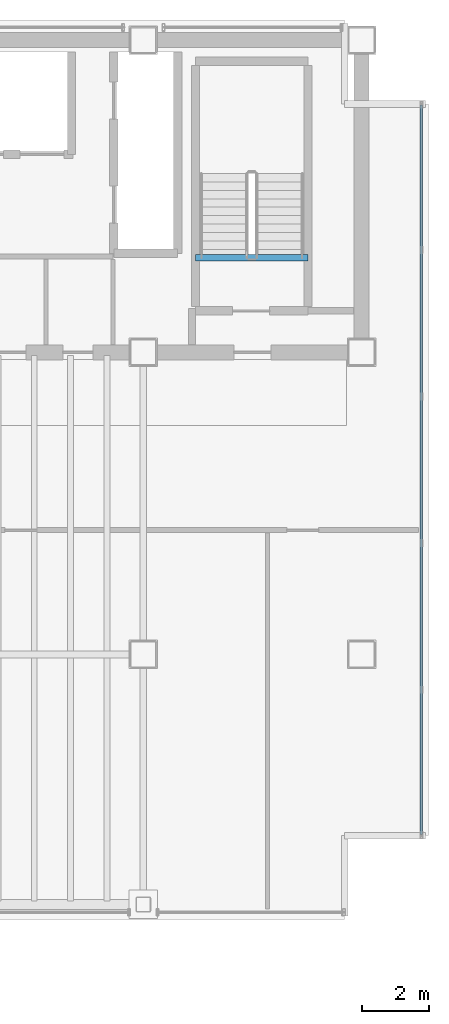
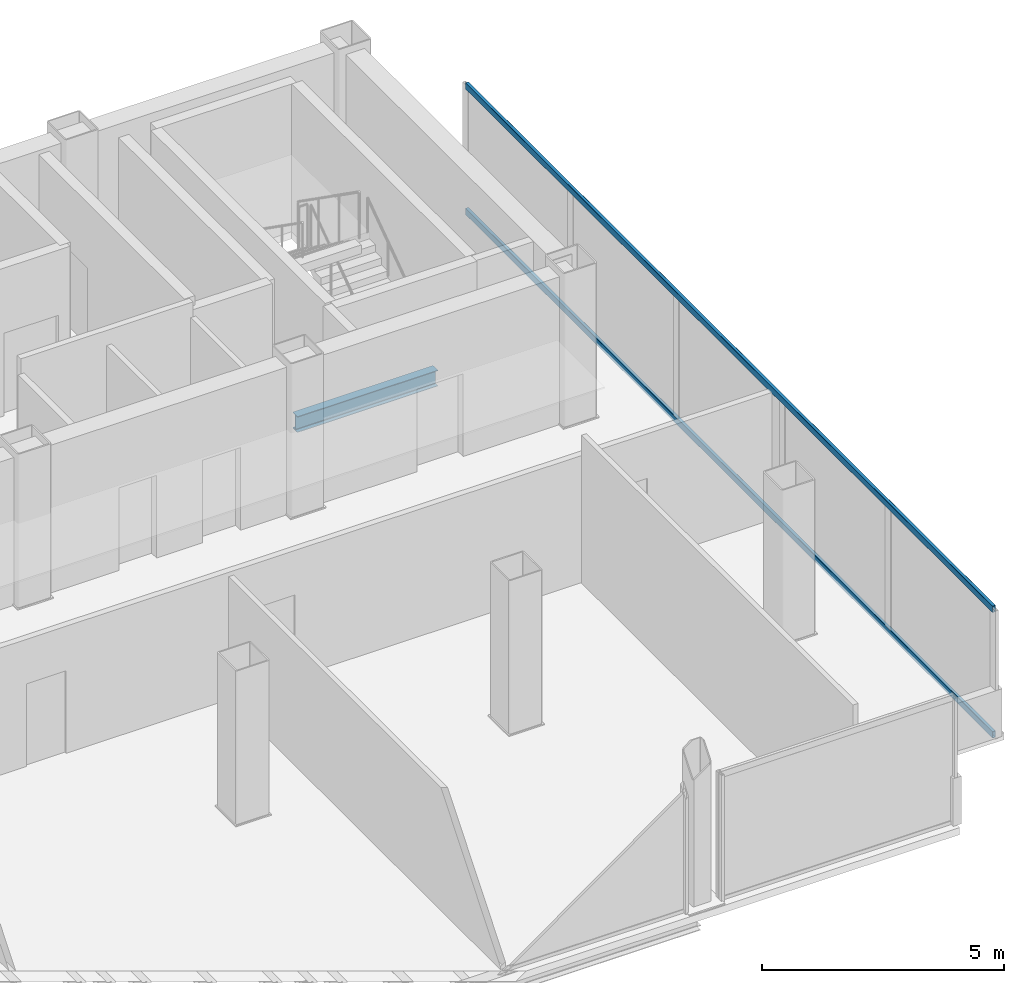
# One storey, part 11 of 16: 2 members, 1 beam, 1 element without a shape of its own.
"""IFC4 building model written with IfcOpenShell, lengths in metres."""

from ifc_helpers import new_model, si_unit, direction, frame, origin, origin_2d, place, context, subcontext, project, spatial, hollow_rectangle, i_section, extrude, material, material_profile, profile_set, type_object, element, aggregate, save


model = new_model("IFC4")

# Units and contexts
model_context = context("Model", 3, precision=1e-05, world=origin(), true_north=direction((0.0, 1.0)))
body_context = subcontext(model_context, "Body", "Model", "MODEL_VIEW")
ifc_project = project(units=[si_unit("LENGTHUNIT", "METRE"), si_unit("AREAUNIT", "SQUARE_METRE"), si_unit("VOLUMEUNIT", "CUBIC_METRE"), si_unit("PLANEANGLEUNIT", "RADIAN"), si_unit("MASSUNIT", "GRAM", prefix="KILO")], contexts=[model_context])

# Site, building, storey
site_placement = place(None, origin())
site = spatial("IfcSite", under=ifc_project, at=site_placement, CompositionType="ELEMENT")
building_placement = place(site_placement, origin())
building = spatial("IfcBuilding", under=site, at=building_placement, Name="Noeulbin Bourse Tower", CompositionType="ELEMENT")
storey_placement = place(building_placement, frame((0.0, 0.0, 238.39990234375)))
storey = spatial("IfcBuildingStorey", under=building, at=storey_placement, Name="L59", CompositionType="ELEMENT", Elevation=238.39990234375)

# Beam
ifc_material_1 = material(Name="Steel S355", Category="steel")
ifc_material_profile_1 = material_profile(ifc_material_1, i_section(OverallWidth=0.199951171875, OverallDepth=0.39990234375, WebThickness=0.008056640625, FlangeThickness=0.012939453125, FilletRadius=0.01611328125, at=origin_2d()), Name="H-400x200x8x13", Category="LoadBearing")
ifc_profile_set_1 = profile_set([ifc_material_profile_1], Name="Steel S355")
beam_type = type_object("IfcBeamType", Name="BM-SEC-400", PredefinedType="BEAM", material=ifc_profile_set_1)
beam_placement = place(storey_placement, frame((39.06005859375, 31.820068359375, -0.199951171875), z_axis=(1.0, 0.0, 0.0), x_axis=(0.0, 1.0, 0.0)))
element("IfcBeam", 1, at=beam_placement, inside=storey, type_object=beam_type, Name="Stair Threshold Trimmer Beam ST2-L59", PredefinedType="BEAM", context=body_context, shape_type="SweptSolid", body=[
    extrude(i_section(OverallWidth=0.199951171875, OverallDepth=0.39990234375, WebThickness=0.008056640625, FlangeThickness=0.012939453125, FilletRadius=0.01611328125, at=origin_2d()), origin(), (0.0, 0.0, 1.0), 3.33984375),
])

# Curtain wall, members
ifc_material_2 = material(Name="High-Selectivity Low-Iron Glazing", Category="glass")
curtain_wall_type = type_object("IfcCurtainWallType", Name="CW-SYS-4", PredefinedType="NOTDEFINED", material=ifc_material_2)
curtain_wall_placement = place(storey_placement, origin())
curtain_wall = element("IfcCurtainWall", 2, at=curtain_wall_placement, inside=storey, type_object=curtain_wall_type, Name="Unitised Curtain Wall CW-L59-E", PredefinedType="NOTDEFINED")
ifc_material_3 = material(Name="Anodised Aluminium 6063-T6", Category="aluminium")
ifc_material_profile_2 = material_profile(ifc_material_3, hollow_rectangle(XDim=0.074951171875, YDim=0.159912109375, WallThickness=0.0048828125, InnerFilletRadius=0.00244140625, OuterFilletRadius=0.0048828125, at=origin_2d()), Name="ALU-TRAN-75x160x5", Category="LoadBearing")
ifc_profile_set_2 = profile_set([ifc_material_profile_2], Name="Anodised Aluminium 6063-T6")
member_type = type_object("IfcMemberType", Name="CW-SYS-4-TRN", PredefinedType="USERDEFINED", material=ifc_profile_set_2)
member_1_placement = place(storey_placement, frame((45.780029296875, 14.6298828125, 0.010009765625), z_axis=(0.0, 1.0, 0.0), x_axis=(-1.0, 0.0, 0.0)))
member_1 = element("IfcMember", 3, at=member_1_placement, type_object=member_type, Name="Curtain Wall Transom CW-L59-E-T00", ObjectType="TRANSOM", PredefinedType="USERDEFINED", context=body_context, shape_type="SweptSolid", body=[
    extrude(hollow_rectangle(XDim=0.074951171875, YDim=0.159912109375, WallThickness=0.0048828125, InnerFilletRadius=0.00244140625, OuterFilletRadius=0.0048828125, at=origin_2d()), origin(), (0.0, 0.0, 1.0), 21.740234375),
])
member_2_placement = place(storey_placement, frame((45.780029296875, 14.6298828125, 3.170166015625), z_axis=(0.0, 1.0, 0.0), x_axis=(-1.0, 0.0, 0.0)))
member_2 = element("IfcMember", 4, at=member_2_placement, type_object=member_type, Name="Curtain Wall Transom CW-L59-E-T01", ObjectType="TRANSOM", PredefinedType="USERDEFINED", context=body_context, shape_type="SweptSolid", body=[
    extrude(hollow_rectangle(XDim=0.074951171875, YDim=0.159912109375, WallThickness=0.0048828125, InnerFilletRadius=0.00244140625, OuterFilletRadius=0.0048828125, at=origin_2d()), origin(), (0.0, 0.0, 1.0), 21.740234375),
])
aggregate(curtain_wall, [member_1, member_2])

save(model, "model.ifc")
